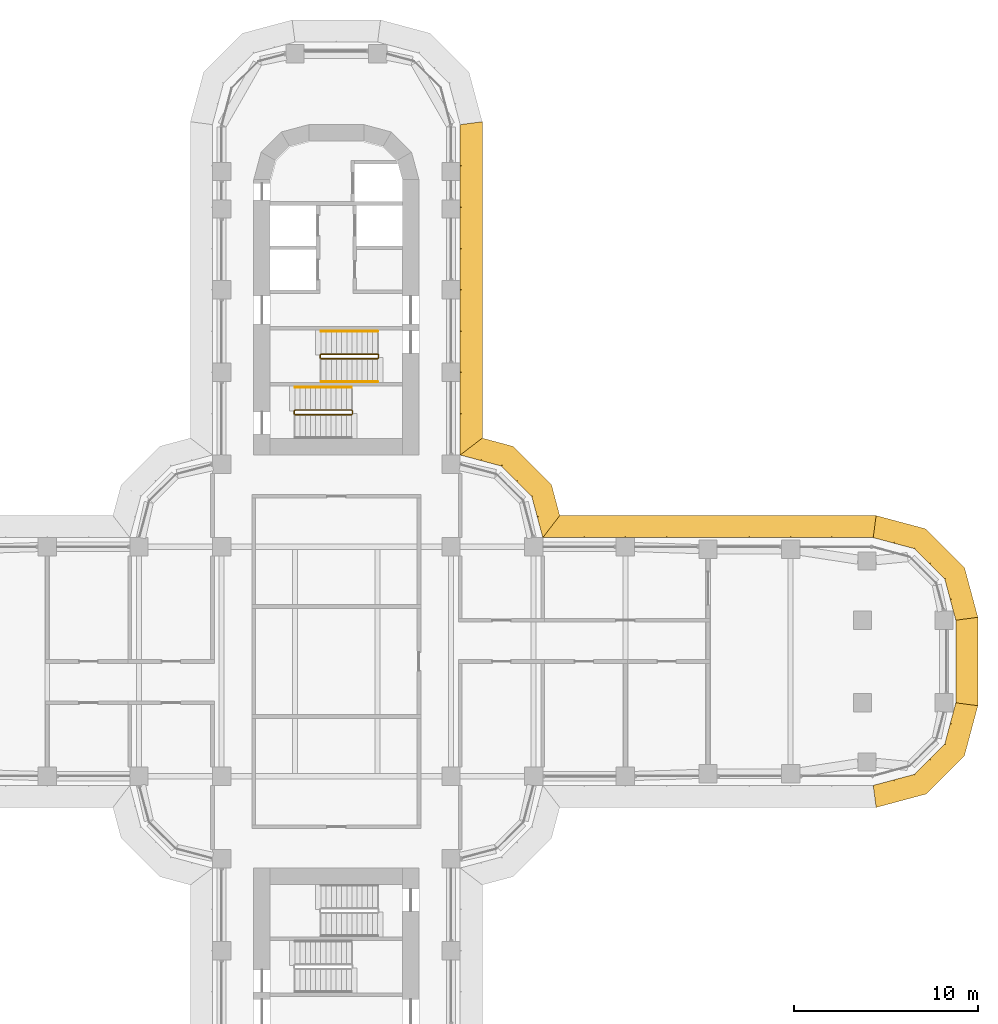
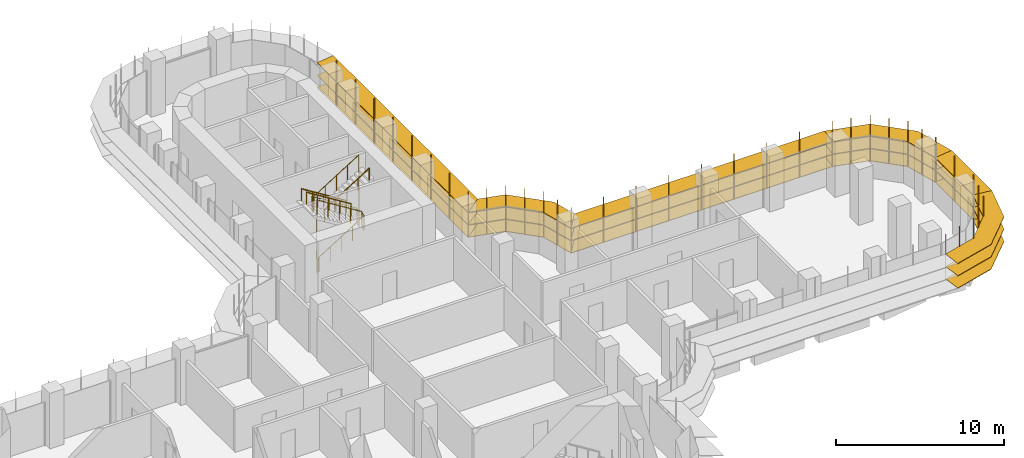
# One storey, part 22 of 23: 6 shading devices, 5 railings.
"""IFC4 building model written with IfcOpenShell, lengths in metres."""

from ifc_helpers import new_model, si_unit, direction, frame, origin, origin_2d, place, context, subcontext, project, spatial, polyline, circle, outline, extrude, faceted_brep, source, transform, mapped, material, type_object, element, save


model = new_model("IFC4")

# Units and contexts
model_context = context("Model", 3, precision=1e-05, world=origin(), true_north=direction((0.0, 1.0)))
body_context = subcontext(model_context, "Body", "Model", "MODEL_VIEW")
ifc_project = project(units=[si_unit("LENGTHUNIT", "METRE"), si_unit("AREAUNIT", "SQUARE_METRE"), si_unit("VOLUMEUNIT", "CUBIC_METRE"), si_unit("PLANEANGLEUNIT", "RADIAN"), si_unit("MASSUNIT", "GRAM", prefix="KILO")], contexts=[model_context])

# Site, building, storey
site_placement = place(None, origin())
site = spatial("IfcSite", under=ifc_project, at=site_placement, CompositionType="ELEMENT")
building_placement = place(site_placement, origin())
building = spatial("IfcBuilding", under=site, at=building_placement, Name="Zarbagh Exchange Tower", CompositionType="ELEMENT")
storey_placement = place(building_placement, frame((0.0, 0.0, 31.199951171875)))
storey = spatial("IfcBuildingStorey", under=building, at=storey_placement, Name="L06", CompositionType="ELEMENT", Elevation=31.199951171875)

# Railings
ifc_material_1 = material(Name="Stainless steel", Category="steel")
railing_type_1 = type_object("IfcRailingType", Name="Stair guard 1100 mm", PredefinedType="GUARDRAIL", material=ifc_material_1)
railing_1_placement = place(storey_placement, frame((-0.830078125, 16.5, 2.275146484375)))
element("IfcRailing", 1, at=railing_1_placement, inside=storey, type_object=railing_type_1, Name="ST1 stair guard 1", PredefinedType="GUARDRAIL", context=body_context, shape_type="SweptSolid", body=[
    extrude(circle(Radius=0.02392578125, at=origin_2d()), frame((0.0, 0.0, 1.076171875), z_axis=(0.848028513186, 0.0, 0.529950602248), x_axis=(0.0, 1.0, 0.0)), (0.0, 0.0, 1.0), 3.632080078125),
    extrude(circle(Radius=0.02392578125, at=origin_2d()), frame((3.080078125, 0.0, 3.0009765625), z_axis=(0.011914834358, 0.011914834358, -0.999858026644), x_axis=(-0.707106781187, 0.707106781187, 0.0)), (0.0, 0.0, 1.0), 4.200439453125),
    extrude(circle(Radius=0.02392578125, at=origin_2d()), frame((3.130126953125, 0.050048828125, -1.19921875), z_axis=(0.0, 1.0, 0.0), x_axis=(-1.0, 0.0, 0.0)), (0.0, 0.0, 1.0), 0.14990234375),
    extrude(circle(Radius=0.02392578125, at=origin_2d()), frame((3.130126953125, 0.199951171875, -1.19921875), z_axis=(-0.265065253269, 0.265065253269, 0.927081885822), x_axis=(-0.707106781187, -0.707106781187, 0.0)), (0.0, 0.0, 1.0), 0.188720703125),
    extrude(circle(Radius=0.02392578125, at=origin_2d()), frame((3.080078125, 0.25, -1.02392578125), z_axis=(-0.847998304005, 0.0, 0.529998940003), x_axis=(0.0, -1.0, 0.0)), (0.0, 0.0, 1.0), 3.632080078125),
    extrude(circle(Radius=0.02392578125, at=origin_2d()), frame((0.0, 0.25, 0.90087890625), z_axis=(-0.705375805398, -0.708833529934, 0.0), x_axis=(0.708833529934, -0.705375805398, 0.0)), (0.0, 0.0, 1.0), 0.070556640625),
    extrude(circle(Radius=0.02392578125, at=origin_2d()), frame((-0.0498046875, 0.199951171875, 0.90087890625), z_axis=(0.0, -1.0, 0.0), x_axis=(1.0, 0.0, 0.0)), (0.0, 0.0, 1.0), 0.14990234375),
    extrude(circle(Radius=0.02099609375, at=origin_2d()), origin(), (0.0, 0.0, 1.0), 1.052001953125),
    extrude(circle(Radius=0.02099609375, at=origin_2d()), frame((0.77001953125, 0.0, 0.481201171875)), (0.0, 0.0, 1.0), 1.052001953125),
    extrude(circle(Radius=0.02099609375, at=origin_2d()), frame((1.5400390625, 0.0, 0.96240234375)), (0.0, 0.0, 1.0), 1.052001953125),
    extrude(circle(Radius=0.02099609375, at=origin_2d()), frame((2.31005859375, 0.0, 1.443603515625)), (0.0, 0.0, 1.0), 1.052001953125),
    extrude(circle(Radius=0.02099609375, at=origin_2d()), frame((3.080078125, 0.0, 1.9248046875)), (0.0, 0.0, 1.0), 1.052001953125),
    extrude(circle(Radius=0.02099609375, at=origin_2d()), frame((3.092529296875, 0.012451171875, 0.874755859375)), (0.0, 0.0, 1.0), 1.052001953125),
    extrude(circle(Radius=0.02099609375, at=origin_2d()), frame((3.10498046875, 0.02490234375, -0.17529296875)), (0.0, 0.0, 1.0), 1.052001953125),
    extrude(circle(Radius=0.02099609375, at=origin_2d()), frame((3.11767578125, 0.03759765625, -1.22509765625)), (0.0, 0.0, 1.0), 1.052001953125),
    extrude(circle(Radius=0.02099609375, at=origin_2d()), frame((3.130126953125, 0.050048828125, -2.275146484375)), (0.0, 0.0, 1.0), 1.052001953125),
    extrude(circle(Radius=0.02099609375, at=origin_2d()), frame((3.130126953125, 0.199951171875, -2.275146484375)), (0.0, 0.0, 1.0), 1.052001953125),
    extrude(circle(Radius=0.02099609375, at=origin_2d()), frame((3.080078125, 0.25, -2.10009765625)), (0.0, 0.0, 1.0), 1.052001953125),
    extrude(circle(Radius=0.02099609375, at=origin_2d()), frame((2.31005859375, 0.25, -1.618896484375)), (0.0, 0.0, 1.0), 1.052001953125),
    extrude(circle(Radius=0.02099609375, at=origin_2d()), frame((1.5400390625, 0.25, -1.1376953125)), (0.0, 0.0, 1.0), 1.052001953125),
    extrude(circle(Radius=0.02099609375, at=origin_2d()), frame((0.77001953125, 0.25, -0.65625)), (0.0, 0.0, 1.0), 1.052001953125),
    extrude(circle(Radius=0.02099609375, at=origin_2d()), frame((0.0, 0.25, -0.175048828125)), (0.0, 0.0, 1.0), 1.052001953125),
    extrude(circle(Radius=0.02099609375, at=origin_2d()), frame((-0.0498046875, 0.199951171875, -0.175048828125)), (0.0, 0.0, 1.0), 1.052001953125),
    extrude(circle(Radius=0.02099609375, at=origin_2d()), frame((-0.0498046875, 0.050048828125, -0.175048828125)), (0.0, 0.0, 1.0), 1.052001953125),
])
railing_2_placement = place(storey_placement, frame((0.8798828125, 13.5, 2.10009765625)))
element("IfcRailing", 2, at=railing_2_placement, inside=storey, type_object=railing_type_1, Name="ST2 stair guard 1", PredefinedType="GUARDRAIL", context=body_context, shape_type="SweptSolid", body=[
    extrude(circle(Radius=0.02392578125, at=origin_2d()), frame((0.0, 0.0, 1.076171875), z_axis=(0.0, 1.0, 0.0), x_axis=(-1.0, 0.0, 0.0)), (0.0, 0.0, 1.0), 0.14990234375),
    extrude(circle(Radius=0.02392578125, at=origin_2d()), frame((0.0, 0.14990234375, 1.076171875), z_axis=(-0.263862480399, 0.265155923931, 0.927399011991), x_axis=(-0.708833529934, -0.705375805398, 0.0)), (0.0, 0.0, 1.0), 0.188720703125),
    extrude(circle(Radius=0.02392578125, at=origin_2d()), frame((-0.0498046875, 0.199951171875, 1.2509765625), z_axis=(-0.848028513186, 0.0, 0.529950602248), x_axis=(0.0, -1.0, 0.0)), (0.0, 0.0, 1.0), 3.632080078125),
    extrude(circle(Radius=0.02392578125, at=origin_2d()), frame((-3.1298828125, 0.199951171875, 3.17578125), z_axis=(-0.011914834358, -0.011914834358, -0.999858026644), x_axis=(0.707106781187, -0.707106781187, 0.0)), (0.0, 0.0, 1.0), 4.200439453125),
    extrude(circle(Radius=0.02392578125, at=origin_2d()), frame((-3.179931640625, 0.14990234375, -1.02392578125), z_axis=(0.0, -1.0, 0.0), x_axis=(1.0, 0.0, 0.0)), (0.0, 0.0, 1.0), 0.14990234375),
    extrude(circle(Radius=0.02392578125, at=origin_2d()), frame((-3.179931640625, 0.0, -1.02392578125), z_axis=(0.265065253269, -0.265065253269, 0.927081885822), x_axis=(0.707106781187, 0.707106781187, 0.0)), (0.0, 0.0, 1.0), 0.188720703125),
    extrude(circle(Radius=0.02392578125, at=origin_2d()), frame((-3.1298828125, -0.050048828125, -0.84912109375), z_axis=(0.847998304005, 0.0, 0.529998940003), x_axis=(0.0, 1.0, 0.0)), (0.0, 0.0, 1.0), 3.632080078125),
    extrude(circle(Radius=0.02099609375, at=origin_2d()), origin(), (0.0, 0.0, 1.0), 1.052001953125),
    extrude(circle(Radius=0.02099609375, at=origin_2d()), frame((0.0, 0.14990234375, 0.0)), (0.0, 0.0, 1.0), 1.052001953125),
    extrude(circle(Radius=0.02099609375, at=origin_2d()), frame((-0.0498046875, 0.199951171875, 0.175048828125)), (0.0, 0.0, 1.0), 1.052001953125),
    extrude(circle(Radius=0.02099609375, at=origin_2d()), frame((-0.81982421875, 0.199951171875, 0.65625)), (0.0, 0.0, 1.0), 1.052001953125),
    extrude(circle(Radius=0.02099609375, at=origin_2d()), frame((-1.58984375, 0.199951171875, 1.137451171875)), (0.0, 0.0, 1.0), 1.052001953125),
    extrude(circle(Radius=0.02099609375, at=origin_2d()), frame((-2.35986328125, 0.199951171875, 1.61865234375)), (0.0, 0.0, 1.0), 1.052001953125),
    extrude(circle(Radius=0.02099609375, at=origin_2d()), frame((-3.1298828125, 0.199951171875, 2.099853515625)), (0.0, 0.0, 1.0), 1.052001953125),
    extrude(circle(Radius=0.02099609375, at=origin_2d()), frame((-3.142333984375, 0.1875, 1.0498046875)), (0.0, 0.0, 1.0), 1.052001953125),
    extrude(circle(Radius=0.02099609375, at=origin_2d()), frame((-3.15478515625, 0.1748046875, 0.0)), (0.0, 0.0, 1.0), 1.052001953125),
    extrude(circle(Radius=0.02099609375, at=origin_2d()), frame((-3.16748046875, 0.162353515625, -1.050048828125)), (0.0, 0.0, 1.0), 1.052001953125),
    extrude(circle(Radius=0.02099609375, at=origin_2d()), frame((-3.179931640625, 0.14990234375, -2.10009765625)), (0.0, 0.0, 1.0), 1.052001953125),
    extrude(circle(Radius=0.02099609375, at=origin_2d()), frame((-3.179931640625, 0.0, -2.10009765625)), (0.0, 0.0, 1.0), 1.052001953125),
    extrude(circle(Radius=0.02099609375, at=origin_2d()), frame((-3.1298828125, -0.050048828125, -1.925048828125)), (0.0, 0.0, 1.0), 1.052001953125),
    extrude(circle(Radius=0.02099609375, at=origin_2d()), frame((-2.35986328125, -0.050048828125, -1.44384765625)), (0.0, 0.0, 1.0), 1.052001953125),
    extrude(circle(Radius=0.02099609375, at=origin_2d()), frame((-1.58984375, -0.050048828125, -0.96240234375)), (0.0, 0.0, 1.0), 1.052001953125),
    extrude(circle(Radius=0.02099609375, at=origin_2d()), frame((-0.81982421875, -0.050048828125, -0.481201171875)), (0.0, 0.0, 1.0), 1.052001953125),
    extrude(circle(Radius=0.02099609375, at=origin_2d()), frame((-0.0498046875, -0.050048828125, 0.0)), (0.0, 0.0, 1.0), 1.052001953125),
])
railing_type_2 = type_object("IfcRailingType", Name="Stair handrail 900 mm", PredefinedType="HANDRAIL", material=ifc_material_1)
railing_3_placement = place(storey_placement, frame((2.25, 18.0, 0.175048828125)))
element("IfcRailing", 3, at=railing_3_placement, inside=storey, type_object=railing_type_2, Name="ST1 stair handrail 1", PredefinedType="HANDRAIL", context=body_context, shape_type="SweptSolid", body=[
    extrude(circle(Radius=0.02392578125, at=origin_2d()), frame((0.0, 0.0, 0.8759765625), z_axis=(-0.847998304005, 0.0, 0.529998940003), x_axis=(0.0, -1.0, 0.0)), (0.0, 0.0, 1.0), 3.632080078125),
    extrude(circle(Radius=0.02099609375, at=origin_2d()), origin(), (0.0, 0.0, 1.0), 0.851806640625),
    extrude(circle(Radius=0.02099609375, at=origin_2d()), frame((-0.77001953125, 0.0, 0.481201171875)), (0.0, 0.0, 1.0), 0.851806640625),
    extrude(circle(Radius=0.02099609375, at=origin_2d()), frame((-1.5400390625, 0.0, 0.96240234375)), (0.0, 0.0, 1.0), 0.851806640625),
    extrude(circle(Radius=0.02099609375, at=origin_2d()), frame((-2.31005859375, 0.0, 1.44384765625)), (0.0, 0.0, 1.0), 0.851806640625),
    extrude(circle(Radius=0.02099609375, at=origin_2d()), frame((-3.080078125, 0.0, 1.925048828125)), (0.0, 0.0, 1.0), 0.851806640625),
])
railing_4_placement = place(storey_placement, frame((-0.830078125, 15.25, 2.275146484375)))
element("IfcRailing", 4, at=railing_4_placement, inside=storey, type_object=railing_type_2, Name="ST1 stair handrail 2", PredefinedType="HANDRAIL", context=body_context, shape_type="SweptSolid", body=[
    extrude(circle(Radius=0.02392578125, at=origin_2d()), frame((0.0, 0.0, 0.8759765625), z_axis=(0.848028513186, 0.0, 0.529950602248), x_axis=(0.0, 1.0, 0.0)), (0.0, 0.0, 1.0), 3.632080078125),
    extrude(circle(Radius=0.02099609375, at=origin_2d()), origin(), (0.0, 0.0, 1.0), 0.851806640625),
    extrude(circle(Radius=0.02099609375, at=origin_2d()), frame((0.77001953125, 0.0, 0.481201171875)), (0.0, 0.0, 1.0), 0.851806640625),
    extrude(circle(Radius=0.02099609375, at=origin_2d()), frame((1.5400390625, 0.0, 0.96240234375)), (0.0, 0.0, 1.0), 0.851806640625),
    extrude(circle(Radius=0.02099609375, at=origin_2d()), frame((2.31005859375, 0.0, 1.443603515625)), (0.0, 0.0, 1.0), 0.851806640625),
    extrude(circle(Radius=0.02099609375, at=origin_2d()), frame((3.080078125, 0.0, 1.9248046875)), (0.0, 0.0, 1.0), 0.851806640625),
])
railing_5_placement = place(storey_placement, frame((0.830078125, 14.949951171875, 2.275146484375)))
element("IfcRailing", 5, at=railing_5_placement, inside=storey, type_object=railing_type_2, Name="ST2 stair handrail 2", PredefinedType="HANDRAIL", context=body_context, shape_type="SweptSolid", body=[
    extrude(circle(Radius=0.02392578125, at=origin_2d()), frame((0.0, 0.0, 0.8759765625), z_axis=(-0.848028513186, 0.0, 0.529950602248), x_axis=(0.0, -1.0, 0.0)), (0.0, 0.0, 1.0), 3.632080078125),
    extrude(circle(Radius=0.02099609375, at=origin_2d()), origin(), (0.0, 0.0, 1.0), 0.851806640625),
    extrude(circle(Radius=0.02099609375, at=origin_2d()), frame((-0.77001953125, 0.0, 0.481201171875)), (0.0, 0.0, 1.0), 0.851806640625),
    extrude(circle(Radius=0.02099609375, at=origin_2d()), frame((-1.5400390625, 0.0, 0.96240234375)), (0.0, 0.0, 1.0), 0.851806640625),
    extrude(circle(Radius=0.02099609375, at=origin_2d()), frame((-2.31005859375, 0.0, 1.443603515625)), (0.0, 0.0, 1.0), 0.851806640625),
    extrude(circle(Radius=0.02099609375, at=origin_2d()), frame((-3.080078125, 0.0, 1.9248046875)), (0.0, 0.0, 1.0), 0.851806640625),
])

# Shading devices
ifc_material_2 = material(Name="Anodised aluminium blades and brackets", Category="aluminium")
shading_device_type = type_object("IfcShadingDeviceType", Name="SUNSHADE louvre band, 0 degree blades", PredefinedType="JALOUSIE", material=ifc_material_2)
shared_shape_1 = source(origin(), body_context, "Body", "Brep", [
    faceted_brep([(0.0, 0.0, 0.0), (0.0, 0.0, -0.0400390625), (-0.157958984375, -1.199951171875, -0.0400390625), (-0.157958984375, -1.199951171875, 0.0), (2.65087890625, -1.199951171875, 0.0), (2.65087890625, -1.199951171875, -0.0400390625), (2.329345703125, 0.0, -0.0400390625), (2.329345703125, 0.0, 0.0)], [[[0, 1, 2, 3]], [[4, 5, 6, 7]], [[0, 7, 6, 1]], [[1, 6, 5, 2]], [[2, 5, 4, 3]], [[3, 4, 7, 0]]]),
])
shared_shape_2 = source(origin(), body_context, "Body", "Brep", [
    faceted_brep([(0.0, 0.0, 0.0), (0.0, 0.0, -0.0400390625), (-0.321533203125, -1.199951171875, -0.0400390625), (-0.321533203125, -1.199951171875, 0.0), (2.65087890625, -1.199951171875, 0.0), (2.65087890625, -1.199951171875, -0.0400390625), (2.329345703125, 0.0, -0.0400390625), (2.329345703125, 0.0, 0.0)], [[[0, 1, 2, 3]], [[4, 5, 6, 7]], [[0, 7, 6, 1]], [[1, 6, 5, 2]], [[2, 5, 4, 3]], [[3, 4, 7, 0]]]),
])
shared_shape_3 = source(origin(), body_context, "Body", "Brep", [
    faceted_brep([(0.0, 0.0, 0.0), (0.0, 0.0, -0.0400390625), (-0.321533203125, -1.199951171875, -0.0400390625), (-0.321533203125, -1.199951171875, 0.0), (2.4873046875, -1.199951171875, 0.0), (2.4873046875, -1.199951171875, -0.0400390625), (2.329345703125, 0.0, -0.0400390625), (2.329345703125, 0.0, 0.0)], [[[0, 1, 2, 3]], [[4, 5, 6, 7]], [[0, 7, 6, 1]], [[1, 6, 5, 2]], [[2, 5, 4, 3]], [[3, 4, 7, 0]]]),
])
shared_shape_4 = source(origin(), body_context, "Body", "SweptSolid", [
    extrude(outline(polyline([(0.0, -0.012451171875), (0.06005859375, -0.012451171875), (0.06005859375, 0.012451171875), (0.0, 0.012451171875), (0.0, -0.012451171875)])), origin(), (0.0, 0.0, 1.0), 3.35009765625),
])
placement = place(storey_placement, origin())
element("IfcShadingDevice", 6, at=placement, inside=storey, type_object=shading_device_type, Name="SS05 sunshade band", PredefinedType="JALOUSIE", context=body_context, shape_type="MappedRepresentation", body=[
    mapped(shared_shape_1, transform((29.25, -6.75, 2.699951171875), x_axis=(0.965924289636, 0.258824779902, 0.0), y_axis=(-0.258824779902, 0.965924289636, 0.0), z_axis=(0.0, 0.0, 1.0))),
    mapped(shared_shape_1, transform((29.25, -6.75, 1.800048828125), x_axis=(0.965924289636, 0.258824779902, 0.0), y_axis=(-0.258824779902, 0.965924289636, 0.0), z_axis=(0.0, 0.0, 1.0))),
    mapped(shared_shape_1, transform((29.25, -6.75, 0.900146484375), x_axis=(0.965924289636, 0.258824779902, 0.0), y_axis=(-0.258824779902, 0.965924289636, 0.0), z_axis=(0.0, 0.0, 1.0))),
    mapped(shared_shape_2, transform((31.5, -6.147216796875, 2.699951171875), x_axis=(0.707106781187, 0.707106781187, 0.0), y_axis=(-0.707106781187, 0.707106781187, 0.0), z_axis=(0.0, 0.0, 1.0))),
    mapped(shared_shape_2, transform((31.5, -6.147216796875, 1.800048828125), x_axis=(0.707106781187, 0.707106781187, 0.0), y_axis=(-0.707106781187, 0.707106781187, 0.0), z_axis=(0.0, 0.0, 1.0))),
    mapped(shared_shape_2, transform((31.5, -6.147216796875, 0.900146484375), x_axis=(0.707106781187, 0.707106781187, 0.0), y_axis=(-0.707106781187, 0.707106781187, 0.0), z_axis=(0.0, 0.0, 1.0))),
    mapped(shared_shape_3, transform((33.147216796875, -4.5, 2.699951171875), x_axis=(0.258824779902, 0.965924289636, 0.0), y_axis=(-0.965924289636, 0.258824779902, 0.0), z_axis=(0.0, 0.0, 1.0))),
    mapped(shared_shape_3, transform((33.147216796875, -4.5, 1.800048828125), x_axis=(0.258824779902, 0.965924289636, 0.0), y_axis=(-0.965924289636, 0.258824779902, 0.0), z_axis=(0.0, 0.0, 1.0))),
    mapped(shared_shape_3, transform((33.147216796875, -4.5, 0.900146484375), x_axis=(0.258824779902, 0.965924289636, 0.0), y_axis=(-0.965924289636, 0.258824779902, 0.0), z_axis=(0.0, 0.0, 1.0))),
    mapped(shared_shape_4, transform((29.25, -6.75, 0.830078125), x_axis=(0.130529263012, -0.991444457092, 0.0), y_axis=(0.991444457092, 0.130529263012, 0.0), z_axis=(0.0, 0.0, 1.0))),
    mapped(shared_shape_4, transform((30.375, -6.448486328125, 0.830078125), x_axis=(0.258825058029, -0.96592421511, 0.0), y_axis=(0.96592421511, 0.258825058029, 0.0), z_axis=(0.0, 0.0, 1.0))),
    mapped(shared_shape_4, transform((31.5, -6.147216796875, 0.830078125), x_axis=(0.50000275701, -0.866023812018, 0.0), y_axis=(0.866023812018, 0.50000275701, 0.0), z_axis=(0.0, 0.0, 1.0))),
    mapped(shared_shape_4, transform((32.323486328125, -5.323486328125, 0.830078125), x_axis=(0.707106781187, -0.707106781187, 0.0), y_axis=(0.707106781187, 0.707106781187, 0.0), z_axis=(0.0, 0.0, 1.0))),
    mapped(shared_shape_4, transform((33.147216796875, -4.5, 0.830078125), x_axis=(0.866023812018, -0.50000275701, 0.0), y_axis=(0.50000275701, 0.866023812018, 0.0), z_axis=(0.0, 0.0, 1.0))),
    mapped(shared_shape_4, transform((33.448486328125, -3.375, 0.830078125), x_axis=(0.96592421511, -0.258825058029, 0.0), y_axis=(0.258825058029, 0.96592421511, 0.0), z_axis=(0.0, 0.0, 1.0))),
])
element("IfcShadingDevice", 7, at=placement, inside=storey, type_object=shading_device_type, Name="SS07 sunshade band", PredefinedType="JALOUSIE", context=body_context, shape_type="MappedRepresentation", body=[
    mapped(shared_shape_1, transform((33.75, 2.25, 2.699951171875), x_axis=(-0.258824779902, 0.965924289636, 0.0), y_axis=(-0.965924289636, -0.258824779902, 0.0), z_axis=(0.0, 0.0, 1.0))),
    mapped(shared_shape_1, transform((33.75, 2.25, 1.800048828125), x_axis=(-0.258824779902, 0.965924289636, 0.0), y_axis=(-0.965924289636, -0.258824779902, 0.0), z_axis=(0.0, 0.0, 1.0))),
    mapped(shared_shape_1, transform((33.75, 2.25, 0.900146484375), x_axis=(-0.258824779902, 0.965924289636, 0.0), y_axis=(-0.965924289636, -0.258824779902, 0.0), z_axis=(0.0, 0.0, 1.0))),
    mapped(shared_shape_2, transform((33.147216796875, 4.5, 2.699951171875), x_axis=(-0.707106781187, 0.707106781187, 0.0), y_axis=(-0.707106781187, -0.707106781187, 0.0), z_axis=(0.0, 0.0, 1.0))),
    mapped(shared_shape_2, transform((33.147216796875, 4.5, 1.800048828125), x_axis=(-0.707106781187, 0.707106781187, 0.0), y_axis=(-0.707106781187, -0.707106781187, 0.0), z_axis=(0.0, 0.0, 1.0))),
    mapped(shared_shape_2, transform((33.147216796875, 4.5, 0.900146484375), x_axis=(-0.707106781187, 0.707106781187, 0.0), y_axis=(-0.707106781187, -0.707106781187, 0.0), z_axis=(0.0, 0.0, 1.0))),
    mapped(shared_shape_3, transform((31.5, 6.147216796875, 2.699951171875), x_axis=(-0.965924289636, 0.258824779902, 0.0), y_axis=(-0.258824779902, -0.965924289636, 0.0), z_axis=(0.0, 0.0, 1.0))),
    mapped(shared_shape_3, transform((31.5, 6.147216796875, 1.800048828125), x_axis=(-0.965924289636, 0.258824779902, 0.0), y_axis=(-0.258824779902, -0.965924289636, 0.0), z_axis=(0.0, 0.0, 1.0))),
    mapped(shared_shape_3, transform((31.5, 6.147216796875, 0.900146484375), x_axis=(-0.965924289636, 0.258824779902, 0.0), y_axis=(-0.258824779902, -0.965924289636, 0.0), z_axis=(0.0, 0.0, 1.0))),
    mapped(shared_shape_4, transform((33.75, 2.25, 0.830078125), x_axis=(0.991444457092, 0.130529263012, 0.0), y_axis=(-0.130529263012, 0.991444457092, 0.0), z_axis=(0.0, 0.0, 1.0))),
    mapped(shared_shape_4, transform((33.448486328125, 3.375, 0.830078125), x_axis=(0.96592421511, 0.258825058029, 0.0), y_axis=(-0.258825058029, 0.96592421511, 0.0), z_axis=(0.0, 0.0, 1.0))),
    mapped(shared_shape_4, transform((33.147216796875, 4.5, 0.830078125), x_axis=(0.866023812018, 0.50000275701, 0.0), y_axis=(-0.50000275701, 0.866023812018, 0.0), z_axis=(0.0, 0.0, 1.0))),
    mapped(shared_shape_4, transform((32.323486328125, 5.323486328125, 0.830078125), x_axis=(0.707106781187, 0.707106781187, 0.0), y_axis=(-0.707106781187, 0.707106781187, 0.0), z_axis=(0.0, 0.0, 1.0))),
    mapped(shared_shape_4, transform((31.5, 6.147216796875, 0.830078125), x_axis=(0.50000275701, 0.866023812018, 0.0), y_axis=(-0.866023812018, 0.50000275701, 0.0), z_axis=(0.0, 0.0, 1.0))),
    mapped(shared_shape_4, transform((30.375, 6.448486328125, 0.830078125), x_axis=(0.258825058029, 0.96592421511, 0.0), y_axis=(-0.96592421511, 0.258825058029, 0.0), z_axis=(0.0, 0.0, 1.0))),
])
shared_shape_5 = source(origin(), body_context, "Body", "Brep", [
    faceted_brep([(0.0, 0.0, 0.0), (0.0, 0.0, -0.0400390625), (0.9208984375, -1.199951171875, -0.0400390625), (0.9208984375, -1.199951171875, 0.0), (2.65087890625, -1.199951171875, 0.0), (2.65087890625, -1.199951171875, -0.0400390625), (2.329345703125, 0.0, -0.0400390625), (2.329345703125, 0.0, 0.0)], [[[0, 1, 2, 3]], [[4, 5, 6, 7]], [[0, 7, 6, 1]], [[1, 6, 5, 2]], [[2, 5, 4, 3]], [[3, 4, 7, 0]]]),
])
shared_shape_6 = source(origin(), body_context, "Body", "Brep", [
    faceted_brep([(0.0, 0.0, 0.0), (0.0, 0.0, -0.0400390625), (-0.321533203125, -1.199951171875, -0.0400390625), (-0.321533203125, -1.199951171875, 0.0), (1.40869140625, -1.199951171875, 0.0), (1.40869140625, -1.199951171875, -0.0400390625), (2.329345703125, 0.0, -0.0400390625), (2.329345703125, 0.0, 0.0)], [[[0, 1, 2, 3]], [[4, 5, 6, 7]], [[0, 7, 6, 1]], [[1, 6, 5, 2]], [[2, 5, 4, 3]], [[3, 4, 7, 0]]]),
])
element("IfcShadingDevice", 8, at=placement, inside=storey, type_object=shading_device_type, Name="SS09 sunshade band", PredefinedType="JALOUSIE", context=body_context, shape_type="MappedRepresentation", body=[
    mapped(shared_shape_5, transform((11.25, 6.75, 2.699951171875), x_axis=(-0.258824779902, 0.965924289636, 0.0), y_axis=(-0.965924289636, -0.258824779902, 0.0), z_axis=(0.0, 0.0, 1.0))),
    mapped(shared_shape_5, transform((11.25, 6.75, 1.800048828125), x_axis=(-0.258824779902, 0.965924289636, 0.0), y_axis=(-0.965924289636, -0.258824779902, 0.0), z_axis=(0.0, 0.0, 1.0))),
    mapped(shared_shape_5, transform((11.25, 6.75, 0.900146484375), x_axis=(-0.258824779902, 0.965924289636, 0.0), y_axis=(-0.965924289636, -0.258824779902, 0.0), z_axis=(0.0, 0.0, 1.0))),
    mapped(shared_shape_2, transform((10.647216796875, 9.0, 2.699951171875), x_axis=(-0.707106781187, 0.707106781187, 0.0), y_axis=(-0.707106781187, -0.707106781187, 0.0), z_axis=(0.0, 0.0, 1.0))),
    mapped(shared_shape_2, transform((10.647216796875, 9.0, 1.800048828125), x_axis=(-0.707106781187, 0.707106781187, 0.0), y_axis=(-0.707106781187, -0.707106781187, 0.0), z_axis=(0.0, 0.0, 1.0))),
    mapped(shared_shape_2, transform((10.647216796875, 9.0, 0.900146484375), x_axis=(-0.707106781187, 0.707106781187, 0.0), y_axis=(-0.707106781187, -0.707106781187, 0.0), z_axis=(0.0, 0.0, 1.0))),
    mapped(shared_shape_6, transform((9.0, 10.647216796875, 2.699951171875), x_axis=(-0.965924289636, 0.258824779902, 0.0), y_axis=(-0.258824779902, -0.965924289636, 0.0), z_axis=(0.0, 0.0, 1.0))),
    mapped(shared_shape_6, transform((9.0, 10.647216796875, 1.800048828125), x_axis=(-0.965924289636, 0.258824779902, 0.0), y_axis=(-0.258824779902, -0.965924289636, 0.0), z_axis=(0.0, 0.0, 1.0))),
    mapped(shared_shape_6, transform((9.0, 10.647216796875, 0.900146484375), x_axis=(-0.965924289636, 0.258824779902, 0.0), y_axis=(-0.258824779902, -0.965924289636, 0.0), z_axis=(0.0, 0.0, 1.0))),
    mapped(shared_shape_4, transform((11.25, 6.75, 0.830078125), x_axis=(0.608758892, 0.793355287, 0.0), y_axis=(-0.793355287, 0.608758892, 0.0), z_axis=(0.0, 0.0, 1.0))),
    mapped(shared_shape_4, transform((10.948486328125, 7.875, 0.830078125), x_axis=(0.96592421511, 0.258825058029, 0.0), y_axis=(-0.258825058029, 0.96592421511, 0.0), z_axis=(0.0, 0.0, 1.0))),
    mapped(shared_shape_4, transform((10.647216796875, 9.0, 0.830078125), x_axis=(0.866023812018, 0.50000275701, 0.0), y_axis=(-0.50000275701, 0.866023812018, 0.0), z_axis=(0.0, 0.0, 1.0))),
    mapped(shared_shape_4, transform((9.823486328125, 9.823486328125, 0.830078125), x_axis=(0.707106781187, 0.707106781187, 0.0), y_axis=(-0.707106781187, 0.707106781187, 0.0), z_axis=(0.0, 0.0, 1.0))),
    mapped(shared_shape_4, transform((9.0, 10.647216796875, 0.830078125), x_axis=(0.50000275701, 0.866023812018, 0.0), y_axis=(-0.866023812018, 0.50000275701, 0.0), z_axis=(0.0, 0.0, 1.0))),
    mapped(shared_shape_4, transform((7.875, 10.948486328125, 0.830078125), x_axis=(0.258825058029, 0.96592421511, 0.0), y_axis=(-0.96592421511, 0.258825058029, 0.0), z_axis=(0.0, 0.0, 1.0))),
])
shared_shape_7 = source(origin(), body_context, "Body", "Brep", [
    faceted_brep([(0.0, 0.0, 0.0), (0.0, 0.0, -0.0400390625), (-0.157958984375, -1.199951171875, -0.0400390625), (-0.157958984375, -1.199951171875, 0.0), (4.657958984375, -1.199951171875, 0.0), (4.657958984375, -1.199951171875, -0.0400390625), (4.5, 0.0, -0.0400390625), (4.5, 0.0, 0.0)], [[[0, 1, 2, 3]], [[4, 5, 6, 7]], [[0, 7, 6, 1]], [[1, 6, 5, 2]], [[2, 5, 4, 3]], [[3, 4, 7, 0]]]),
])
element("IfcShadingDevice", 9, at=placement, inside=storey, type_object=shading_device_type, Name="SS06 sunshade band", PredefinedType="JALOUSIE", context=body_context, shape_type="MappedRepresentation", body=[
    mapped(shared_shape_7, transform((33.75, -2.25, 2.699951171875), x_axis=(0.0, 1.0, 0.0), y_axis=(-1.0, 0.0, 0.0), z_axis=(0.0, 0.0, 1.0))),
    mapped(shared_shape_7, transform((33.75, -2.25, 1.800048828125), x_axis=(0.0, 1.0, 0.0), y_axis=(-1.0, 0.0, 0.0), z_axis=(0.0, 0.0, 1.0))),
    mapped(shared_shape_7, transform((33.75, -2.25, 0.900146484375), x_axis=(0.0, 1.0, 0.0), y_axis=(-1.0, 0.0, 0.0), z_axis=(0.0, 0.0, 1.0))),
    mapped(shared_shape_4, transform((33.75, -2.25, 0.830078125), x_axis=(0.991444457092, -0.130529263012, 0.0), y_axis=(0.130529263012, 0.991444457092, 0.0), z_axis=(0.0, 0.0, 1.0))),
    mapped(shared_shape_4, transform((33.75, 0.0, 0.830078125), x_axis=(1.0, 0.0, 0.0), y_axis=(0.0, 1.0, 0.0), z_axis=(0.0, 0.0, 1.0))),
])
shared_shape_8 = source(origin(), body_context, "Body", "Brep", [
    faceted_brep([(0.0, 0.0, 0.0), (0.0, 0.0, -0.0400390625), (-0.157958984375, -1.199951171875, -0.0400390625), (-0.157958984375, -1.199951171875, 0.0), (17.0791015625, -1.199951171875, 0.0), (17.0791015625, -1.199951171875, -0.0400390625), (18.0, 0.0, -0.0400390625), (18.0, 0.0, 0.0)], [[[0, 1, 2, 3]], [[4, 5, 6, 7]], [[0, 7, 6, 1]], [[1, 6, 5, 2]], [[2, 5, 4, 3]], [[3, 4, 7, 0]]]),
])
element("IfcShadingDevice", 10, at=placement, inside=storey, type_object=shading_device_type, Name="SS08 sunshade band", PredefinedType="JALOUSIE", context=body_context, shape_type="MappedRepresentation", body=[
    mapped(shared_shape_8, transform((29.25, 6.75, 2.699951171875), x_axis=(-1.0, 0.0, 0.0), y_axis=(0.0, -1.0, 0.0), z_axis=(0.0, 0.0, 1.0))),
    mapped(shared_shape_8, transform((29.25, 6.75, 1.800048828125), x_axis=(-1.0, 0.0, 0.0), y_axis=(0.0, -1.0, 0.0), z_axis=(0.0, 0.0, 1.0))),
    mapped(shared_shape_8, transform((29.25, 6.75, 0.900146484375), x_axis=(-1.0, 0.0, 0.0), y_axis=(0.0, -1.0, 0.0), z_axis=(0.0, 0.0, 1.0))),
    mapped(shared_shape_4, transform((29.25, 6.75, 0.830078125), x_axis=(0.130529263012, 0.991444457092, 0.0), y_axis=(-0.991444457092, 0.130529263012, 0.0), z_axis=(0.0, 0.0, 1.0))),
    mapped(shared_shape_4, transform((27.0, 6.75, 0.830078125), x_axis=(0.0, 1.0, 0.0), y_axis=(-1.0, 0.0, 0.0), z_axis=(0.0, 0.0, 1.0))),
    mapped(shared_shape_4, transform((24.75, 6.75, 0.830078125), x_axis=(0.0, 1.0, 0.0), y_axis=(-1.0, 0.0, 0.0), z_axis=(0.0, 0.0, 1.0))),
    mapped(shared_shape_4, transform((22.5, 6.75, 0.830078125), x_axis=(0.0, 1.0, 0.0), y_axis=(-1.0, 0.0, 0.0), z_axis=(0.0, 0.0, 1.0))),
    mapped(shared_shape_4, transform((20.25, 6.75, 0.830078125), x_axis=(0.0, 1.0, 0.0), y_axis=(-1.0, 0.0, 0.0), z_axis=(0.0, 0.0, 1.0))),
    mapped(shared_shape_4, transform((18.0, 6.75, 0.830078125), x_axis=(0.0, 1.0, 0.0), y_axis=(-1.0, 0.0, 0.0), z_axis=(0.0, 0.0, 1.0))),
    mapped(shared_shape_4, transform((15.75, 6.75, 0.830078125), x_axis=(0.0, 1.0, 0.0), y_axis=(-1.0, 0.0, 0.0), z_axis=(0.0, 0.0, 1.0))),
    mapped(shared_shape_4, transform((13.5, 6.75, 0.830078125), x_axis=(0.0, 1.0, 0.0), y_axis=(-1.0, 0.0, 0.0), z_axis=(0.0, 0.0, 1.0))),
])
shared_shape_9 = source(origin(), body_context, "Body", "Brep", [
    faceted_brep([(0.0, 0.0, 0.0), (0.0, 0.0, -0.0400390625), (0.9208984375, -1.199951171875, -0.0400390625), (0.9208984375, -1.199951171875, 0.0), (18.157958984375, -1.199951171875, 0.0), (18.157958984375, -1.199951171875, -0.0400390625), (18.0, 0.0, -0.0400390625), (18.0, 0.0, 0.0)], [[[0, 1, 2, 3]], [[4, 5, 6, 7]], [[0, 7, 6, 1]], [[1, 6, 5, 2]], [[2, 5, 4, 3]], [[3, 4, 7, 0]]]),
])
element("IfcShadingDevice", 11, at=placement, inside=storey, type_object=shading_device_type, Name="SS10 sunshade band", PredefinedType="JALOUSIE", context=body_context, shape_type="MappedRepresentation", body=[
    mapped(shared_shape_9, transform((6.75, 11.25, 2.699951171875), x_axis=(0.0, 1.0, 0.0), y_axis=(-1.0, 0.0, 0.0), z_axis=(0.0, 0.0, 1.0))),
    mapped(shared_shape_9, transform((6.75, 11.25, 1.800048828125), x_axis=(0.0, 1.0, 0.0), y_axis=(-1.0, 0.0, 0.0), z_axis=(0.0, 0.0, 1.0))),
    mapped(shared_shape_9, transform((6.75, 11.25, 0.900146484375), x_axis=(0.0, 1.0, 0.0), y_axis=(-1.0, 0.0, 0.0), z_axis=(0.0, 0.0, 1.0))),
    mapped(shared_shape_4, transform((6.75, 11.25, 0.830078125), x_axis=(0.793355287, 0.608758892, 0.0), y_axis=(-0.608758892, 0.793355287, 0.0), z_axis=(0.0, 0.0, 1.0))),
    mapped(shared_shape_4, transform((6.75, 13.5, 0.830078125), x_axis=(1.0, 0.0, 0.0), y_axis=(0.0, 1.0, 0.0), z_axis=(0.0, 0.0, 1.0))),
    mapped(shared_shape_4, transform((6.75, 15.75, 0.830078125), x_axis=(1.0, 0.0, 0.0), y_axis=(0.0, 1.0, 0.0), z_axis=(0.0, 0.0, 1.0))),
    mapped(shared_shape_4, transform((6.75, 18.0, 0.830078125), x_axis=(1.0, 0.0, 0.0), y_axis=(0.0, 1.0, 0.0), z_axis=(0.0, 0.0, 1.0))),
    mapped(shared_shape_4, transform((6.75, 20.25, 0.830078125), x_axis=(1.0, 0.0, 0.0), y_axis=(0.0, 1.0, 0.0), z_axis=(0.0, 0.0, 1.0))),
    mapped(shared_shape_4, transform((6.75, 22.5, 0.830078125), x_axis=(1.0, 0.0, 0.0), y_axis=(0.0, 1.0, 0.0), z_axis=(0.0, 0.0, 1.0))),
    mapped(shared_shape_4, transform((6.75, 24.75, 0.830078125), x_axis=(1.0, 0.0, 0.0), y_axis=(0.0, 1.0, 0.0), z_axis=(0.0, 0.0, 1.0))),
    mapped(shared_shape_4, transform((6.75, 27.0, 0.830078125), x_axis=(1.0, 0.0, 0.0), y_axis=(0.0, 1.0, 0.0), z_axis=(0.0, 0.0, 1.0))),
])

save(model, "model.ifc")
